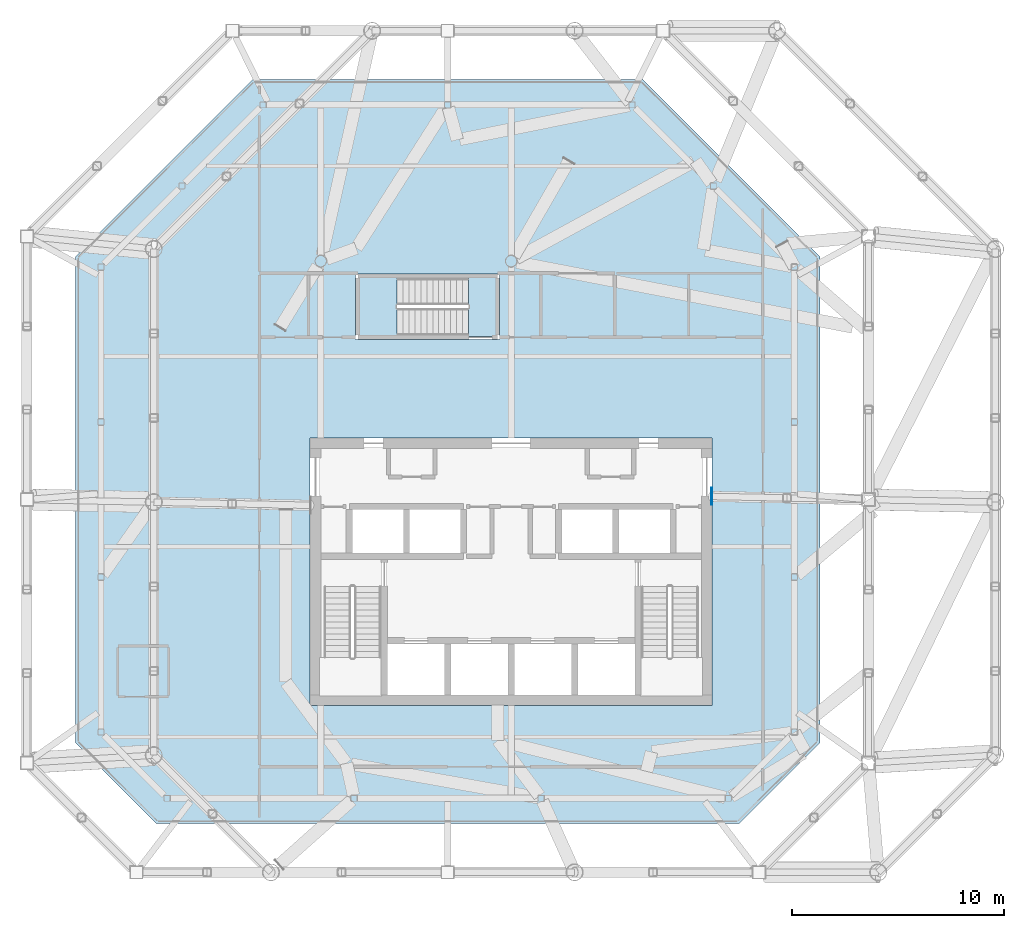
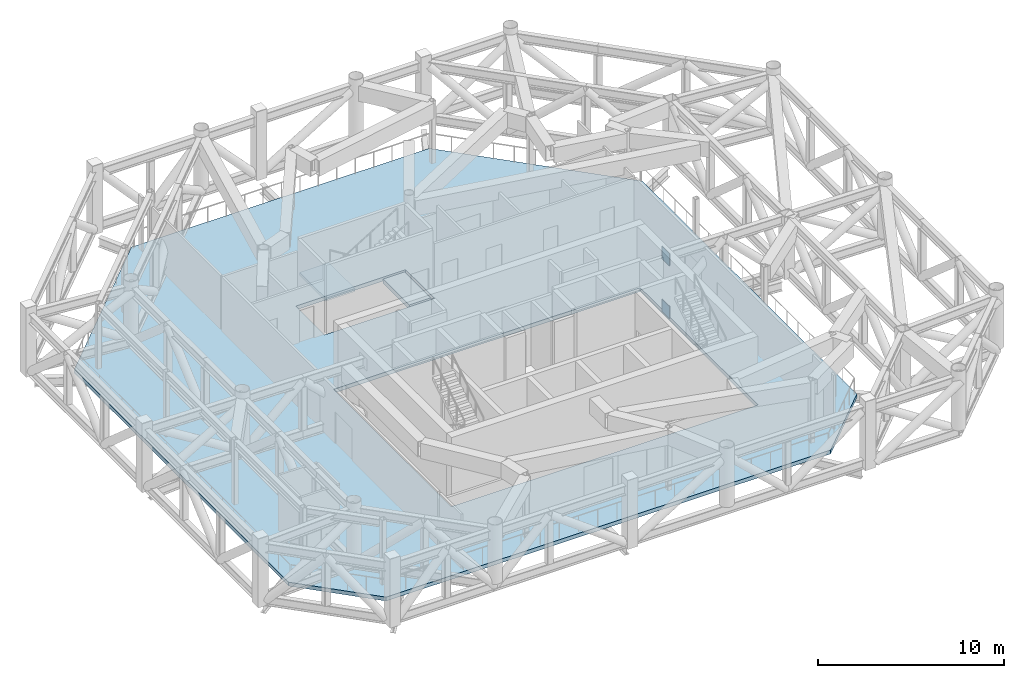
# One storey, part 7 of 14: 3 slabs, 2 plates, 1 element without a shape of its own.
"""IFC4 building model written with IfcOpenShell, lengths in metres."""

from ifc_helpers import new_model, si_unit, direction, frame, origin, origin_2d, place, context, subcontext, project, spatial, polyline, rectangle, outline, extrude, material, layer, layer_set, material_profile, profile_set, type_object, element, aggregate, save


model = new_model("IFC4")

# Units and contexts
model_context = context("Model", 3, precision=1e-05, world=origin(), true_north=direction((0.0, 1.0)))
body_context = subcontext(model_context, "Body", "Model", "MODEL_VIEW")
ifc_project = project(units=[si_unit("LENGTHUNIT", "METRE"), si_unit("AREAUNIT", "SQUARE_METRE"), si_unit("VOLUMEUNIT", "CUBIC_METRE"), si_unit("PLANEANGLEUNIT", "RADIAN"), si_unit("MASSUNIT", "GRAM", prefix="KILO")], contexts=[model_context])

# Site, building, storey
site_placement = place(None, origin())
site = spatial("IfcSite", under=ifc_project, at=site_placement, CompositionType="ELEMENT")
building_placement = place(site_placement, origin())
building = spatial("IfcBuilding", under=site, at=building_placement, Name="Tskaro Facet Tower", CompositionType="ELEMENT")
storey_placement = place(building_placement, frame((0.0, 0.0, 255.0)))
storey = spatial("IfcBuildingStorey", under=building, at=storey_placement, Name="L67", CompositionType="ELEMENT", Elevation=255.0)

# Plates
ifc_material_1 = material(Name="Steel S355J2", Category="steel")
ifc_material_profile = material_profile(ifc_material_1, rectangle(XDim=0.800048828125, YDim=0.800048828125, at=origin_2d()), Name="PL 800x800x30 cast-in plate")
ifc_profile_set = profile_set([ifc_material_profile], Name="Steel S355J2")
plate_type = type_object("IfcPlateType", Name="PL 800x800x30 cast-in plate", PredefinedType="SHEET", material=ifc_profile_set)
for number, where, z_axis, x_axis, name in (
    (1, (9.469970703125, -2.121826171875, 3.77001953125), (1.0, 0.0, 0.0), (0.0, 1.0, 0.0), "Cast-in plate AP1-27"),
    (2, (9.469970703125, -2.121826171875, 0.31005859375), (1.0, 0.0, 0.0), (0.0, 1.0, 0.0), "Cast-in plate AP1-28"),
):
    element("IfcPlate", number, at=place(storey_placement, frame(where, z_axis=z_axis, x_axis=x_axis)), inside=storey, type_object=plate_type, Name=name, PredefinedType="SHEET", context=body_context, shape_type="SweptSolid", body=[
        extrude(rectangle(XDim=0.800048828125, YDim=0.800048828125, at=origin_2d()), origin(), (0.0, 0.0, 1.0), 0.030029296875),
    ])

# Stair, slab
ifc_material_2 = material(Name="Concrete C40/50", Category="concrete")
stair_type = type_object("IfcStairType", Name="ST-TWR", PredefinedType="HALF_TURN_STAIR", material=ifc_material_2)
stair_placement = place(storey_placement, origin())
stair = element("IfcStair", 3, at=stair_placement, inside=storey, type_object=stair_type, Name="L67 Exit stair 3", PredefinedType="HALF_TURN_STAIR")
ifc_layer_1 = layer(ifc_material_2, 0.199951171875, Name="Concrete C40/50")
ifc_layer_set_1 = layer_set([ifc_layer_1], Name="Concrete C40/50")
slab_type_1 = type_object("IfcSlabType", Name="SL-LANDING", PredefinedType="LANDING", material=ifc_layer_set_1)
slab_1_placement = place(storey_placement, frame((0.0, 0.0, 2.050048828125)))
slab_1 = element("IfcSlab", 4, at=slab_1_placement, type_object=slab_type_1, Name="ST-3 landing 1", PredefinedType="LANDING", context=body_context, shape_type="SweptSolid", body=[
    extrude(outline(polyline([(-7.199951171875, 5.449951171875), (-5.385009765625, 5.449951171875), (-5.385009765625, 8.25), (-7.199951171875, 8.25), (-7.199951171875, 5.449951171875)])), origin(), (0.0, 0.0, 1.0), 0.199951171875),
])
aggregate(stair, [slab_1])

# Slabs
ifc_material_3 = material(Name="Concrete C60/75", Category="concrete")
ifc_layer_2 = layer(ifc_material_3, 0.300048828125, Name="Concrete C60/75")
ifc_layer_set_2 = layer_set([ifc_layer_2], Name="Concrete C60/75")
slab_type_2 = type_object("IfcSlabType", Name="SLAB-CORE", PredefinedType="FLOOR", material=ifc_layer_set_2)
slab_2_placement = place(storey_placement, frame((0.0, 0.0, -0.300048828125)))
element("IfcSlab", 5, at=slab_2_placement, inside=storey, type_object=slab_type_2, Name="Stair 3 floor landing 1", PredefinedType="FLOOR", context=body_context, shape_type="SweptSolid", body=[
    extrude(outline(polyline([(-2.02490234375, 5.449951171875), (-0.699951171875, 5.449951171875), (-0.699951171875, 8.25), (-2.02490234375, 8.25), (-2.02490234375, 5.449951171875)])), origin(), (0.0, 0.0, 1.0), 0.300048828125),
])
ifc_material_4 = material(Name="Concrete C35/45", Category="concrete")
ifc_layer_3 = layer(ifc_material_4, 0.25, Name="Concrete C35/45")
ifc_layer_set_3 = layer_set([ifc_layer_3], Name="Concrete C35/45")
slab_type_3 = type_object("IfcSlabType", Name="Transition floor slab", PredefinedType="FLOOR", material=ifc_layer_set_3)
slab_3_placement = place(storey_placement, frame((0.0, 0.0, -0.25)))
element("IfcSlab", 6, at=slab_3_placement, inside=storey, type_object=slab_type_3, Name="Floor slab FS4 L67", PredefinedType="FLOOR", context=body_context, shape_type="SweptSolid", body=[
    extrude(outline(polyline([(-16.764892578125, -17.591064453125), (10.764892578125, -17.591064453125), (14.591064453125, -13.764892578125), (14.591064453125, 9.221923828125), (6.221923828125, 17.591064453125), (-12.221923828125, 17.591064453125), (-20.591064453125, 9.221923828125), (-20.591064453125, -13.764892578125), (-16.764892578125, -17.591064453125)]), holes=[polyline([(-9.5, -12.0), (9.5, -12.0), (9.5, 0.64990234375), (-9.5, 0.64990234375), (-9.5, -12.0)]), polyline([(-7.35009765625, 5.300048828125), (-0.550048828125, 5.300048828125), (-0.550048828125, 8.39990234375), (-7.35009765625, 8.39990234375), (-7.35009765625, 5.300048828125)])]), origin(), (0.0, 0.0, 1.0), 0.25),
])

save(model, "model.ifc")
